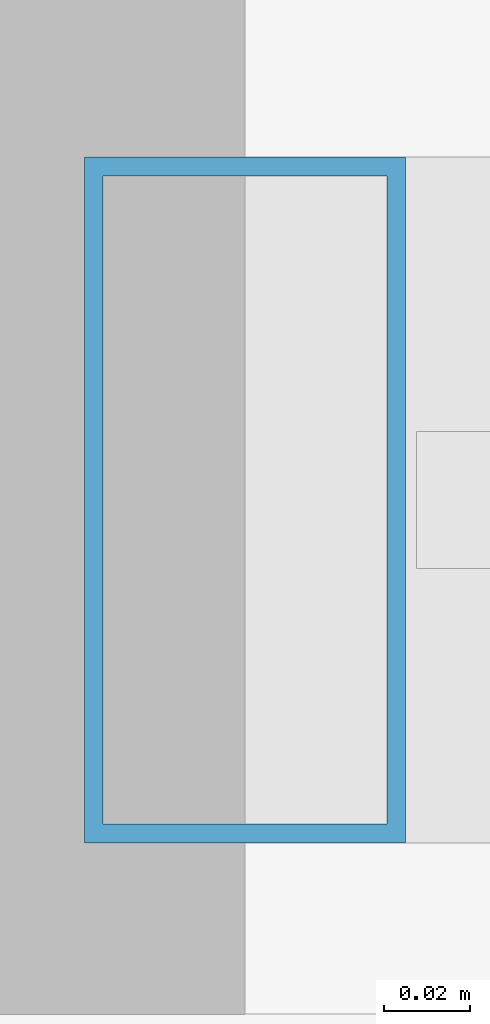
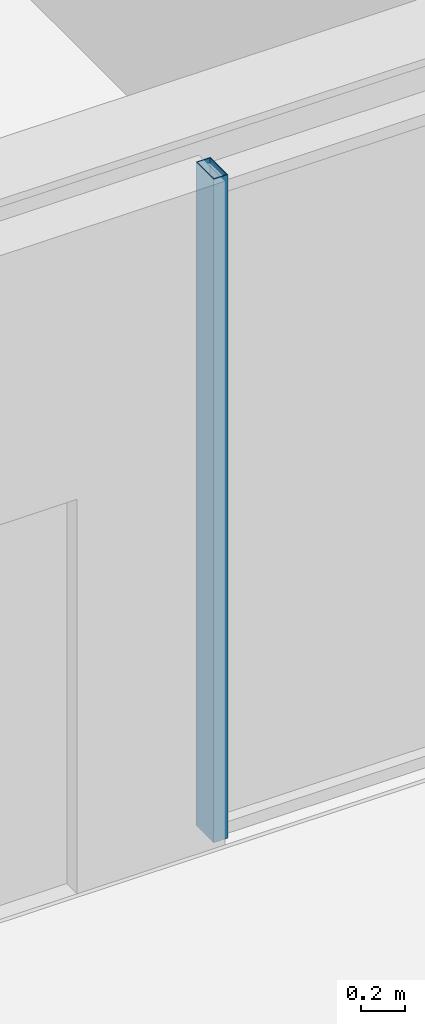
# One storey, part 7 of 39: 1 member, 1 element without a shape of its own.
"""IFC4 building model written with IfcOpenShell, lengths in metres."""

from ifc_helpers import new_model, si_unit, direction, frame, origin, origin_2d, place, context, subcontext, project, spatial, hollow_rectangle, extrude, material, material_profile, profile_set, type_object, element, aggregate, save


model = new_model("IFC4")

# Units and contexts
model_context = context("Model", 3, precision=1e-05, world=origin(), true_north=direction((0.0, 1.0)))
body_context = subcontext(model_context, "Body", "Model", "MODEL_VIEW")
ifc_project = project(units=[si_unit("LENGTHUNIT", "METRE"), si_unit("AREAUNIT", "SQUARE_METRE"), si_unit("VOLUMEUNIT", "CUBIC_METRE"), si_unit("PLANEANGLEUNIT", "RADIAN"), si_unit("MASSUNIT", "GRAM", prefix="KILO")], contexts=[model_context])

# Site, building, storey
site_placement = place(None, origin())
site = spatial("IfcSite", under=ifc_project, at=site_placement, CompositionType="ELEMENT")
building_placement = place(site_placement, origin())
building = spatial("IfcBuilding", under=site, at=building_placement, Name="Kolvaren Belvedere", CompositionType="ELEMENT")
storey_placement = place(building_placement, frame((0.0, 0.0, 15.199951171875)))
storey = spatial("IfcBuildingStorey", under=building, at=storey_placement, Name="L04", CompositionType="ELEMENT", Elevation=15.199951171875)

# Curtain wall, member
ifc_material_1 = material(Name="Anodised pale-metal aluminium AA 6063-T6", Category="aluminium")
curtain_wall_type = type_object("IfcCurtainWallType", Name="CW-POD-A", PredefinedType="NOTDEFINED", material=ifc_material_1)
curtain_wall_placement = place(storey_placement, origin())
curtain_wall = element("IfcCurtainWall", 1, at=curtain_wall_placement, inside=storey, type_object=curtain_wall_type, Name="L04 Unitised Curtain Wall FCW-L04-S1", PredefinedType="NOTDEFINED")
ifc_material_2 = material(Name="Anodised pale-metal aluminium AA 6063-T6", Category="aluminium")
ifc_material_profile = material_profile(ifc_material_2, hollow_rectangle(XDim=0.074951171875, YDim=0.159912109375, WallThickness=0.00439453125, at=origin_2d()), Name="ALU-MUL-160X75")
ifc_profile_set = profile_set([ifc_material_profile], Name="Anodised pale-metal aluminium AA 6063-T6")
member_type = type_object("IfcMemberType", Name="CW-MUL-160", PredefinedType="MULLION", material=ifc_profile_set)
member_placement = place(storey_placement, frame((1.679931640625, -28.280029296875, 0.0), z_axis=(0.0, 0.0, 1.0), x_axis=(1.0, 0.0, 0.0)))
member = element("IfcMember", 2, at=member_placement, type_object=member_type, Name="FCW-L04-S1 Unitised Mullion 5", PredefinedType="MULLION", context=body_context, shape_type="SweptSolid", body=[
    extrude(hollow_rectangle(XDim=0.074951171875, YDim=0.159912109375, WallThickness=0.00439453125, at=origin_2d()), origin(), (0.0, 0.0, 1.0), 3.699951171875),
])
aggregate(curtain_wall, [member])

save(model, "model.ifc")
